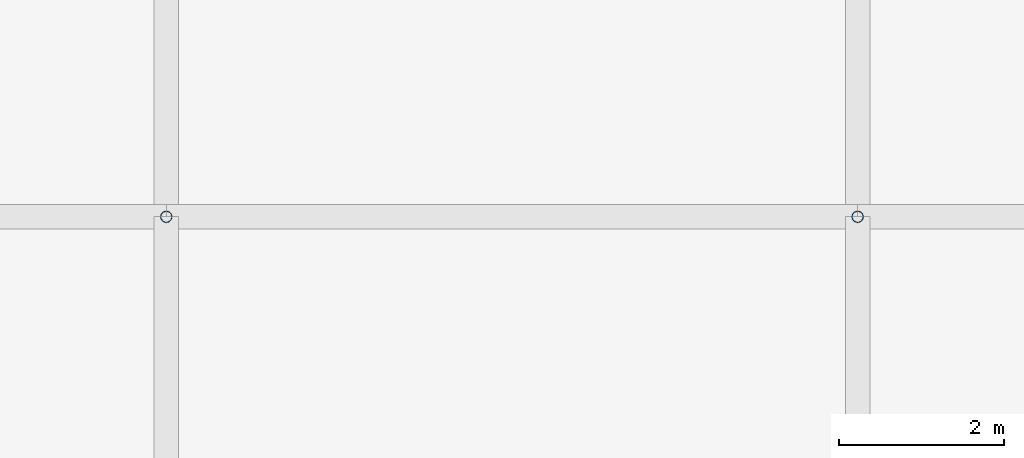
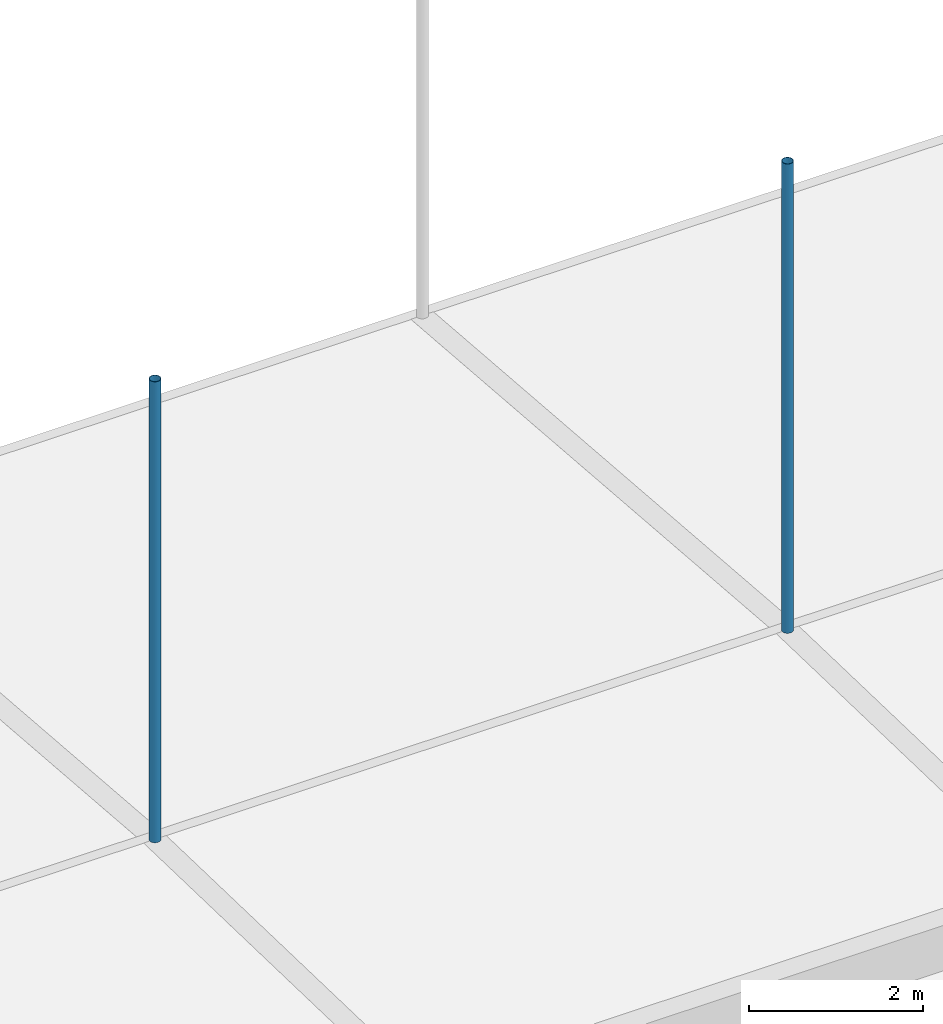
# One storey, part 16 of 37: 2 discrete accessories.
"""IFC4 building model written with IfcOpenShell, lengths in metres."""

from ifc_helpers import new_model, si_unit, direction, frame, origin, origin_2d, place, context, subcontext, project, spatial, hollow_circle, extrude, material, material_profile, profile_set, type_object, element, save


model = new_model("IFC4")

# Units and contexts
model_context = context("Model", 3, precision=1e-05, world=origin(), true_north=direction((0.0, 1.0)))
body_context = subcontext(model_context, "Body", "Model", "MODEL_VIEW")
ifc_project = project(units=[si_unit("LENGTHUNIT", "METRE"), si_unit("AREAUNIT", "SQUARE_METRE"), si_unit("VOLUMEUNIT", "CUBIC_METRE"), si_unit("PLANEANGLEUNIT", "RADIAN"), si_unit("MASSUNIT", "GRAM", prefix="KILO")], contexts=[model_context])

# Site, building, storey
site_placement = place(None, origin())
site = spatial("IfcSite", under=ifc_project, at=site_placement, CompositionType="ELEMENT")
building_placement = place(site_placement, origin())
building = spatial("IfcBuilding", under=site, at=building_placement, Name="Rain Tree Exposition and Congress Centre", CompositionType="ELEMENT")
storey_placement = place(building_placement, frame((0.0, 0.0, 25.0)))
storey = spatial("IfcBuildingStorey", under=building, at=storey_placement, Name="ROOF VAULT LOW", CompositionType="ELEMENT", Elevation=25.0)

# Discrete accessories
ifc_material = material(Name="Steel S355J2H", Category="steel")
ifc_material_profile = material_profile(ifc_material, hollow_circle(Radius=0.06982421875, WallThickness=0.0048828125, at=origin_2d()), Name="CHS 140x5")
ifc_profile_set = profile_set([ifc_material_profile], Name="Steel S355J2H")
discrete_accessory_type = type_object("IfcDiscreteAccessoryType", Name="Roof skin post CHS 140x5", PredefinedType="BRACKET", material=ifc_profile_set)
discrete_accessory_1_placement = place(storey_placement, frame((58.800048828125, 159.60009765625, 1.1728515625), z_axis=(0.0, 0.0, 1.0), x_axis=(1.0, 0.0, 0.0)))
element("IfcDiscreteAccessory", 1, at=discrete_accessory_1_placement, inside=storey, type_object=discrete_accessory_type, Name="Roof skin post A112", PredefinedType="BRACKET", context=body_context, shape_type="SweptSolid", body=[
    extrude(hollow_circle(Radius=0.06982421875, WallThickness=0.0048828125, at=origin_2d()), origin(), (0.0, 0.0, 1.0), 6.47119140625),
])
discrete_accessory_2_placement = place(storey_placement, frame((67.199951171875, 159.60009765625, 1.1728515625), z_axis=(0.0, 0.0, 1.0), x_axis=(1.0, 0.0, 0.0)))
element("IfcDiscreteAccessory", 2, at=discrete_accessory_2_placement, inside=storey, type_object=discrete_accessory_type, Name="Roof skin post A113", PredefinedType="BRACKET", context=body_context, shape_type="SweptSolid", body=[
    extrude(hollow_circle(Radius=0.06982421875, WallThickness=0.0048828125, at=origin_2d()), origin(), (0.0, 0.0, 1.0), 6.58837890625),
])

save(model, "model.ifc")
